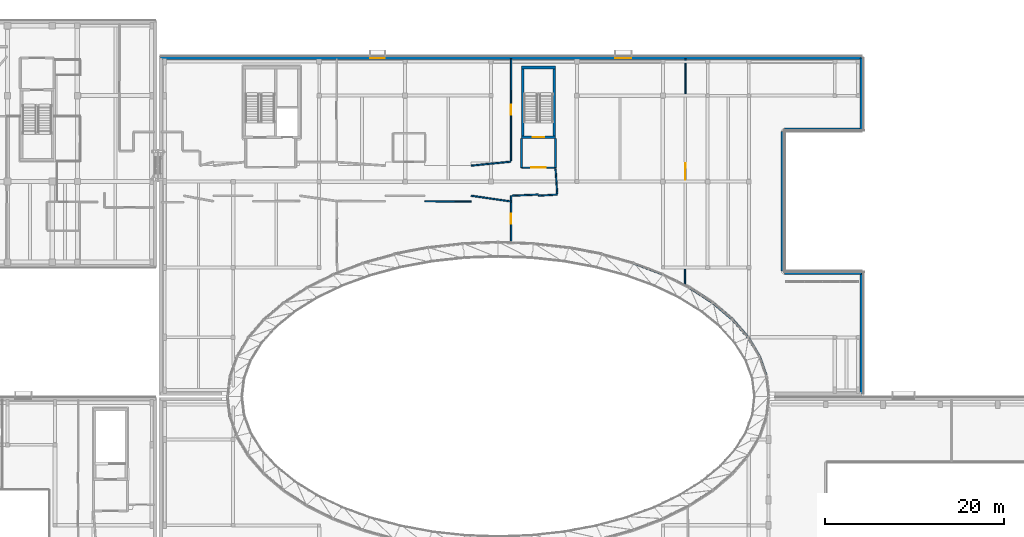
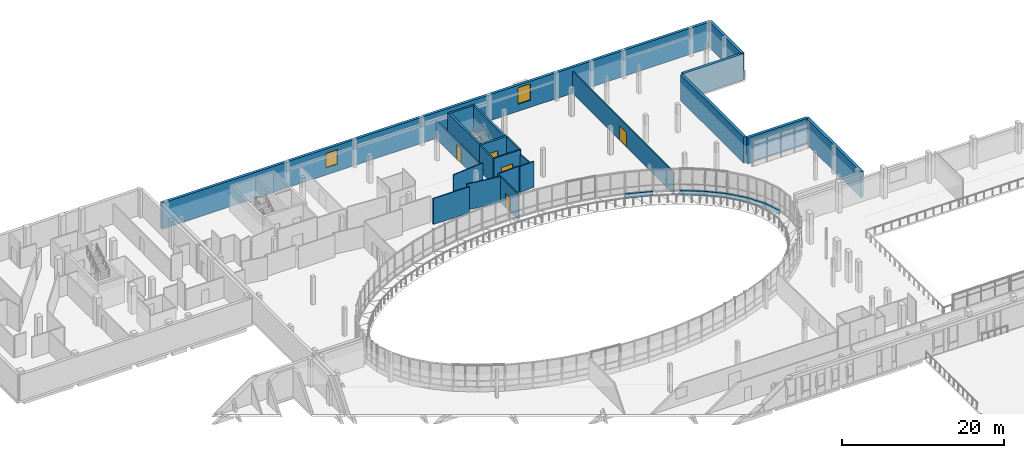
# One storey, part 47 of 73: 28 walls, 5 doors, 2 windows, 7 openings.
"""IFC4 building model written with IfcOpenShell, lengths in metres."""

from ifc_helpers import new_model, si_unit, direction, frame, frame_2d, origin, place, context, subcontext, project, spatial, rectangle, extrude, material, layer, layer_set, type_object, element, fill, save


model = new_model("IFC4")

# Units and contexts
model_context = context("Model", 3, precision=1e-05, world=origin(), true_north=direction((0.0, 1.0)))
body_context = subcontext(model_context, "Body", "Model", "MODEL_VIEW")
ifc_project = project(units=[si_unit("LENGTHUNIT", "METRE"), si_unit("AREAUNIT", "SQUARE_METRE"), si_unit("VOLUMEUNIT", "CUBIC_METRE"), si_unit("PLANEANGLEUNIT", "RADIAN"), si_unit("MASSUNIT", "GRAM", prefix="KILO")], contexts=[model_context])

# Site, building, storey
site_placement = place(None, origin())
site = spatial("IfcSite", under=ifc_project, at=site_placement, CompositionType="ELEMENT")
building_placement = place(site_placement, origin())
building = spatial("IfcBuilding", under=site, at=building_placement, Name="Mzevani Central Library", CompositionType="ELEMENT")
storey_placement = place(building_placement, frame((0.0, 0.0, 9.60009765625)))
storey = spatial("IfcBuildingStorey", under=building, at=storey_placement, Name="L02", CompositionType="ELEMENT", Elevation=9.60009765625)

# Wall
ifc_material_1 = material(Name="Concrete C35/45", Category="concrete")
ifc_layer_1 = layer(ifc_material_1, 0.199951171875, Name="Compartment Wall 200")
ifc_layer_set_1 = layer_set([ifc_layer_1], Name="Concrete C35/45")
wall_type_1 = type_object("IfcWallType", Name="Compartment Wall 200", PredefinedType="STANDARD", material=ifc_layer_set_1)
wall_1_placement = place(storey_placement, frame((86.60009765625, 104.800048828125, 0.0), z_axis=(0.0, 0.0, 1.0), x_axis=(0.0, -1.0, 0.0)))
element("IfcWall", 1, at=wall_1_placement, inside=storey, type_object=wall_type_1, Name="L02 Stair Vestibule C3B Enclosure Wall 1", PredefinedType="STANDARD", context=body_context, shape_type="SweptSolid", body=[
    extrude(rectangle(XDim=3.25, YDim=0.199951171875, at=frame_2d((1.625, 0.0))), origin(), (0.0, 0.0, 1.0), 3.919921875),
])

# Wall, opening, door
wall_2_placement = place(storey_placement, frame((86.60009765625, 101.550048828125, 0.0), z_axis=(0.0, 0.0, 1.0), x_axis=(1.0, 0.0, 0.0)))
wall_2 = element("IfcWall", 2, at=wall_2_placement, inside=storey, type_object=wall_type_1, Name="L02 Stair Vestibule C3B Enclosure Wall 2", PredefinedType="STANDARD", context=body_context, shape_type="SweptSolid", body=[
    extrude(rectangle(XDim=3.7998046875, YDim=0.199951171875, at=frame_2d((1.89990234375, 0.0))), origin(), (0.0, 0.0, 1.0), 3.919921875),
])
opening_1_placement = place(wall_2_placement, frame((1.10009765625, 0.0, 0.0)))
opening_1 = element("IfcOpeningElement", 3, at=opening_1_placement, cuts=wall_2, Name="Opening FD-02", PredefinedType="OPENING", context=body_context, shape_type="SweptSolid", body=[
    extrude(rectangle(XDim=1.60009765625, YDim=2.199951171875, at=frame_2d((0.800048828125, 1.10009765625))), frame((0.0, 0.10986328125, 0.0), z_axis=(0.0, -1.0, 0.0), x_axis=(1.0, 0.0, 0.0)), (0.0, 0.0, 1.0), 0.219970703125),
])
ifc_material_2 = material(Name="Fire-rated steel door assembly", Category="steel")
door_type_1 = type_object("IfcDoorType", Name="Fire Lobby Double Door 1600x2200", OperationType="NOTDEFINED", PredefinedType="DOOR", material=ifc_material_2)
door_1_placement = place(opening_1_placement, origin())
door_1 = element("IfcDoor", 4, at=door_1_placement, inside=storey, type_object=door_type_1, Name="L02 Stair Vestibule C3B Smoke-Control Door", OperationType="DOUBLE_DOOR_SINGLE_SWING", OverallHeight=2.199951171875, OverallWidth=1.60009765625, PredefinedType="DOOR", context=body_context, shape_type="SweptSolid", body=[
    extrude(rectangle(XDim=1.60009765625, YDim=2.199951171875, at=frame_2d((0.800048828125, 1.10009765625))), frame((0.0, 0.02490234375, 0.0), z_axis=(0.0, -1.0, 0.0), x_axis=(1.0, 0.0, 0.0)), (0.0, 0.0, 1.0), 0.050048828125),
])
fill(opening_1, door_1)

# Wall
wall_3_placement = place(storey_placement, frame((90.39990234375, 101.550048828125, 0.0), z_axis=(0.0, 0.0, 1.0), x_axis=(0.0, 1.0, 0.0)))
element("IfcWall", 5, at=wall_3_placement, inside=storey, type_object=wall_type_1, Name="L02 Stair Vestibule C3B Enclosure Wall 3", PredefinedType="STANDARD", context=body_context, shape_type="SweptSolid", body=[
    extrude(rectangle(XDim=3.25, YDim=0.199951171875, at=frame_2d((1.625, 0.0))), origin(), (0.0, 0.0, 1.0), 3.919921875),
])

# Wall, opening, door
ifc_material_3 = material(Name="Concrete C40/50", Category="concrete")
ifc_layer_2 = layer(ifc_material_3, 0.300048828125, Name="Core Shear Wall 300")
ifc_layer_set_2 = layer_set([ifc_layer_2], Name="Concrete C40/50")
wall_type_2 = type_object("IfcWallType", Name="Core Shear Wall 300", PredefinedType="SHEAR", material=ifc_layer_set_2)
wall_4_placement = place(storey_placement, frame((90.39990234375, 104.949951171875, 0.0), z_axis=(0.0, 0.0, 1.0), x_axis=(-1.0, 0.0, 0.0)))
wall_4 = element("IfcWall", 6, at=wall_4_placement, inside=storey, type_object=wall_type_2, Name="L02 Core C3B Atrium East Escape Stair Shear Wall (-y)", PredefinedType="SHEAR", context=body_context, shape_type="SweptSolid", body=[
    extrude(rectangle(XDim=3.7998046875, YDim=0.300048828125, at=frame_2d((1.89990234375, 0.0))), origin(), (0.0, 0.0, 1.0), 3.919921875),
])
opening_2_placement = place(wall_4_placement, frame((1.25, 0.0, 0.0)))
opening_2 = element("IfcOpeningElement", 7, at=opening_2_placement, cuts=wall_4, Name="Opening FD-01", PredefinedType="OPENING", context=body_context, shape_type="SweptSolid", body=[
    extrude(rectangle(XDim=1.300048828125, YDim=2.199951171875, at=frame_2d((0.64990234375, 1.10009765625))), frame((0.0, 0.16015625, 0.0), z_axis=(0.0, -1.0, 0.0), x_axis=(1.0, 0.0, 0.0)), (0.0, 0.0, 1.0), 0.320068359375),
])
door_type_2 = type_object("IfcDoorType", Name="Fire Stair Door 1300x2200", OperationType="NOTDEFINED", PredefinedType="DOOR", material=ifc_material_2)
door_2_placement = place(opening_2_placement, origin())
door_2 = element("IfcDoor", 8, at=door_2_placement, inside=storey, type_object=door_type_2, Name="L02 ST-06 Protected Exit Stair Door", OperationType="SINGLE_SWING_LEFT", OverallHeight=2.199951171875, OverallWidth=1.300048828125, PredefinedType="DOOR", context=body_context, shape_type="SweptSolid", body=[
    extrude(rectangle(XDim=1.300048828125, YDim=2.199951171875, at=frame_2d((0.64990234375, 1.10009765625))), frame((0.0, 0.02490234375, 0.0), z_axis=(0.0, -1.0, 0.0), x_axis=(1.0, 0.0, 0.0)), (0.0, 0.0, 1.0), 0.050048828125),
])
fill(opening_2, door_2)

# Walls
wall_5_placement = place(storey_placement, frame((86.75, 104.800048828125, 0.0), z_axis=(0.0, 0.0, 1.0), x_axis=(0.0, 1.0, 0.0)))
element("IfcWall", 9, at=wall_5_placement, inside=storey, type_object=wall_type_2, Name="L02 Core C3B Atrium East Escape Stair Shear Wall (-x)", PredefinedType="SHEAR", context=body_context, shape_type="SweptSolid", body=[
    extrude(rectangle(XDim=8.099853515625, YDim=0.300048828125, at=frame_2d((4.0498046875, 0.0))), origin(), (0.0, 0.0, 1.0), 3.919921875),
])
wall_6_placement = place(storey_placement, frame((86.60009765625, 112.75, 0.0), z_axis=(0.0, 0.0, 1.0), x_axis=(1.0, 0.0, 0.0)))
element("IfcWall", 10, at=wall_6_placement, inside=storey, type_object=wall_type_2, Name="L02 Core C3B Atrium East Escape Stair Shear Wall (+y)", PredefinedType="SHEAR", context=body_context, shape_type="SweptSolid", body=[
    extrude(rectangle(XDim=3.7998046875, YDim=0.300048828125, at=frame_2d((1.89990234375, 0.0))), origin(), (0.0, 0.0, 1.0), 3.919921875),
])
wall_7_placement = place(storey_placement, frame((90.25, 112.89990234375, 0.0), z_axis=(0.0, 0.0, 1.0), x_axis=(0.0, -1.0, 0.0)))
element("IfcWall", 11, at=wall_7_placement, inside=storey, type_object=wall_type_2, Name="L02 Core C3B Atrium East Escape Stair Shear Wall (+x)", PredefinedType="SHEAR", context=body_context, shape_type="SweptSolid", body=[
    extrude(rectangle(XDim=8.099853515625, YDim=0.300048828125, at=frame_2d((4.0498046875, 0.0))), origin(), (0.0, 0.0, 1.0), 3.919921875),
])
ifc_material_4 = material(Name="Precast concrete C40/50", Category="concrete")
ifc_layer_3 = layer(ifc_material_4, 0.280029296875, Name="Court Spandrel Wall 280")
ifc_layer_set_3 = layer_set([ifc_layer_3], Name="Precast concrete C40/50")
wall_type_3 = type_object("IfcWallType", Name="Court Spandrel Wall 280", PredefinedType="STANDARD", material=ifc_layer_set_3)
wall_8_placement = place(storey_placement, frame((113.9619140625, 78.2451171875, 0.0), z_axis=(0.0, 0.0, 1.0), x_axis=(-0.331008570157, 0.943627747834, 0.0)))
element("IfcWall", 12, at=wall_8_placement, inside=storey, type_object=wall_type_3, Name="L02 Elliptical Court Spandrel 2", PredefinedType="STANDARD", context=body_context, shape_type="SweptSolid", body=[
    extrude(rectangle(XDim=2.31298828125, YDim=0.280029296875, at=frame_2d((1.156494140625, 0.0))), origin(), (0.0, 0.0, 1.0), 0.719970703125),
])
wall_9_placement = place(storey_placement, frame((113.19384765625, 80.444580078125, 0.0), z_axis=(0.0, 0.0, 1.0), x_axis=(-0.513603793852, 0.858027472137, 0.0)))
element("IfcWall", 13, at=wall_9_placement, inside=storey, type_object=wall_type_3, Name="L02 Elliptical Court Spandrel 3", PredefinedType="STANDARD", context=body_context, shape_type="SweptSolid", body=[
    extrude(rectangle(XDim=2.4560546875, YDim=0.280029296875, at=frame_2d((1.22802734375, 0.0))), origin(), (0.0, 0.0, 1.0), 0.719970703125),
])
wall_10_placement = place(storey_placement, frame((111.92822265625, 82.569580078125, 0.0), z_axis=(0.0, 0.0, 1.0), x_axis=(-0.656194711624, 0.754591611693, 0.0)))
element("IfcWall", 14, at=wall_10_placement, inside=storey, type_object=wall_type_3, Name="L02 Elliptical Court Spandrel 4", PredefinedType="STANDARD", context=body_context, shape_type="SweptSolid", body=[
    extrude(rectangle(XDim=2.64501953125, YDim=0.280029296875, at=frame_2d((1.322509765625, 0.0))), origin(), (0.0, 0.0, 1.0), 0.719970703125),
])
wall_11_placement = place(storey_placement, frame((110.1865234375, 84.583984375, 0.0), z_axis=(0.0, 0.0, 1.0), x_axis=(-0.762423614177, 0.647078227531, 0.0)))
element("IfcWall", 15, at=wall_11_placement, inside=storey, type_object=wall_type_3, Name="L02 Elliptical Court Spandrel 5", PredefinedType="STANDARD", context=body_context, shape_type="SweptSolid", body=[
    extrude(rectangle(XDim=2.859619140625, YDim=0.280029296875, at=frame_2d((1.4296875, 0.0))), origin(), (0.0, 0.0, 1.0), 0.719970703125),
])
wall_12_placement = place(storey_placement, frame((107.99755859375, 86.454345703125, 0.0), z_axis=(0.0, 0.0, 1.0), x_axis=(-0.839733807204, 0.54299828088, 0.0)))
element("IfcWall", 16, at=wall_12_placement, inside=storey, type_object=wall_type_3, Name="L02 Elliptical Court Spandrel 6", PredefinedType="STANDARD", context=body_context, shape_type="SweptSolid", body=[
    extrude(rectangle(XDim=3.081298828125, YDim=0.280029296875, at=frame_2d((1.54052734375, 0.0))), origin(), (0.0, 0.0, 1.0), 0.719970703125),
])
wall_13_placement = place(storey_placement, frame((102.4306640625, 89.63916015625, 0.0), z_axis=(0.0, 0.0, 1.0), x_axis=(-0.935124674426, 0.354318844092, 0.0)))
element("IfcWall", 17, at=wall_13_placement, inside=storey, type_object=wall_type_3, Name="L02 Elliptical Court Spandrel 8", PredefinedType="STANDARD", context=body_context, shape_type="SweptSolid", body=[
    extrude(rectangle(XDim=3.4892578125, YDim=0.280029296875, at=frame_2d((1.74462890625, 0.0))), origin(), (0.0, 0.0, 1.0), 0.719970703125),
])

# Wall, openings, windows
ifc_layer_4 = layer(ifc_material_4, 0.3798828125, Name="Exterior Thermal Concrete Wall 380")
ifc_layer_set_4 = layer_set([ifc_layer_4], Name="Precast concrete C40/50")
wall_type_4 = type_object("IfcWallType", Name="Exterior Thermal Concrete Wall 380", PredefinedType="STANDARD", material=ifc_layer_set_4)
wall_14_placement = place(storey_placement, frame((46.2900390625, 113.81005859375, 0.0), z_axis=(0.0, 0.0, 1.0), x_axis=(1.0, 0.0, 0.0)))
wall_14 = element("IfcWall", 18, at=wall_14_placement, inside=storey, type_object=wall_type_4, Name="L02 V3 Exterior Thermal Wall (54)", PredefinedType="STANDARD", context=body_context, shape_type="SweptSolid", body=[
    extrude(rectangle(XDim=78.320068359375, YDim=0.3798828125, at=frame_2d((39.16015625, 0.0))), origin(), (0.0, 0.0, 1.0), 3.919921875),
])
opening_3_placement = place(wall_14_placement, frame((23.40380859375, 0.0, 1.050048828125)))
opening_3 = element("IfcOpeningElement", 19, at=opening_3_placement, cuts=wall_14, Name="Opening W-13", PredefinedType="OPENING", context=body_context, shape_type="SweptSolid", body=[
    extrude(rectangle(XDim=1.64990234375, YDim=2.199951171875, at=frame_2d((0.824951171875, 1.10009765625))), frame((0.0, 0.199951171875, 0.0), z_axis=(0.0, -1.0, 0.0), x_axis=(1.0, 0.0, 0.0)), (0.0, 0.0, 1.0), 0.39990234375),
])
opening_4_placement = place(wall_14_placement, frame((50.791259765625, 0.0, 1.050048828125)))
opening_4 = element("IfcOpeningElement", 20, at=opening_4_placement, cuts=wall_14, Name="Opening W-15", PredefinedType="OPENING", context=body_context, shape_type="SweptSolid", body=[
    extrude(rectangle(XDim=1.800048828125, YDim=2.5, at=frame_2d((0.89990234375, 1.25))), frame((0.0, 0.199951171875, 0.0), z_axis=(0.0, -1.0, 0.0), x_axis=(1.0, 0.0, 0.0)), (0.0, 0.0, 1.0), 0.39990234375),
])
ifc_material_5 = material(Name="Low-E triple glazing glass", Category="glass")
window_type_1 = type_object("IfcWindowType", Name="Deep Reveal Window 1650x2200", PartitioningType="SINGLE_PANEL", PredefinedType="WINDOW", material=ifc_material_5)
window_1_placement = place(opening_3_placement, origin())
window_1 = element("IfcWindow", 21, at=window_1_placement, inside=storey, type_object=window_type_1, Name="L02 V3 Deep-Reveal Window W-13 (126)", OverallHeight=2.199951171875, OverallWidth=1.64990234375, PartitioningType="SINGLE_PANEL", PredefinedType="WINDOW", context=body_context, shape_type="SweptSolid", body=[
    extrude(rectangle(XDim=1.64990234375, YDim=2.199951171875, at=frame_2d((0.824951171875, 1.10009765625))), frame((0.0, 0.030029296875, 0.0), z_axis=(0.0, -1.0, 0.0), x_axis=(1.0, 0.0, 0.0)), (0.0, 0.0, 1.0), 0.06005859375),
])
fill(opening_3, window_1)
window_type_2 = type_object("IfcWindowType", Name="Deep Reveal Window 1800x2500", PartitioningType="SINGLE_PANEL", PredefinedType="WINDOW", material=ifc_material_5)
window_2_placement = place(opening_4_placement, origin())
window_2 = element("IfcWindow", 22, at=window_2_placement, inside=storey, type_object=window_type_2, Name="L02 V3 Deep-Reveal Window W-15 (127)", OverallHeight=2.5, OverallWidth=1.800048828125, PartitioningType="SINGLE_PANEL", PredefinedType="WINDOW", context=body_context, shape_type="SweptSolid", body=[
    extrude(rectangle(XDim=1.800048828125, YDim=2.5, at=frame_2d((0.89990234375, 1.25))), frame((0.0, 0.030029296875, 0.0), z_axis=(0.0, -1.0, 0.0), x_axis=(1.0, 0.0, 0.0)), (0.0, 0.0, 1.0), 0.06005859375),
])
fill(opening_4, window_2)

# Walls
wall_15_placement = place(storey_placement, frame((124.610107421875, 113.81005859375, 0.0), z_axis=(0.0, 0.0, 1.0), x_axis=(0.0, -1.0, 0.0)))
element("IfcWall", 23, at=wall_15_placement, inside=storey, type_object=wall_type_4, Name="L02 V3 Exterior Thermal Wall (55)", PredefinedType="STANDARD", context=body_context, shape_type="SweptSolid", body=[
    extrude(rectangle(XDim=8.02001953125, YDim=0.3798828125, at=frame_2d((4.010009765625, 0.0))), origin(), (0.0, 0.0, 1.0), 3.919921875),
])
wall_16_placement = place(storey_placement, frame((124.610107421875, 105.7900390625, 0.0), z_axis=(0.0, 0.0, 1.0), x_axis=(-1.0, 0.0, 0.0)))
element("IfcWall", 24, at=wall_16_placement, inside=storey, type_object=wall_type_4, Name="L02 V3 Exterior Thermal Wall (56)", PredefinedType="STANDARD", context=body_context, shape_type="SweptSolid", body=[
    extrude(rectangle(XDim=8.610107421875, YDim=0.3798828125, at=frame_2d((4.30517578125, 0.0))), origin(), (0.0, 0.0, 1.0), 3.919921875),
])
wall_17_placement = place(storey_placement, frame((115.81005859375, 105.60009765625, 0.0), z_axis=(0.0, 0.0, 1.0), x_axis=(0.0, -1.0, 0.0)))
element("IfcWall", 25, at=wall_17_placement, inside=storey, type_object=wall_type_4, Name="L02 V3 Exterior Thermal Wall (57)", PredefinedType="STANDARD", context=body_context, shape_type="SweptSolid", body=[
    extrude(rectangle(XDim=15.60009765625, YDim=0.3798828125, at=frame_2d((7.800048828125, 0.0))), origin(), (0.0, 0.0, 1.0), 3.919921875),
])
wall_18_placement = place(storey_placement, frame((116.0, 89.81005859375, 0.0), z_axis=(0.0, 0.0, 1.0), x_axis=(1.0, 0.0, 0.0)))
element("IfcWall", 26, at=wall_18_placement, inside=storey, type_object=wall_type_4, Name="L02 V3 Exterior Thermal Wall (58)", PredefinedType="STANDARD", context=body_context, shape_type="SweptSolid", body=[
    extrude(rectangle(XDim=8.610107421875, YDim=0.3798828125, at=frame_2d((4.30517578125, 0.0))), origin(), (0.0, 0.0, 1.0), 3.919921875),
])
wall_19_placement = place(storey_placement, frame((124.610107421875, 89.81005859375, 0.0), z_axis=(0.0, 0.0, 1.0), x_axis=(0.0, -1.0, 0.0)))
element("IfcWall", 27, at=wall_19_placement, inside=storey, type_object=wall_type_4, Name="L02 V3 Exterior Thermal Wall (59)", PredefinedType="STANDARD", context=body_context, shape_type="SweptSolid", body=[
    extrude(rectangle(XDim=13.52001953125, YDim=0.3798828125, at=frame_2d((6.760009765625, 0.0))), origin(), (0.0, 0.0, 1.0), 3.919921875),
])
ifc_material_6 = material(Name="Fire-rated gypsum board", Category="gypsum")
ifc_layer_5 = layer(ifc_material_6, 0.14990234375, Name="Partition Study 150")
ifc_layer_set_5 = layer_set([ifc_layer_5], Name="Fire-rated gypsum board")
wall_type_5 = type_object("IfcWallType", Name="Partition Study 150", PredefinedType="PARTITIONING", material=ifc_layer_set_5)
wall_20_placement = place(storey_placement, frame((85.425048828125, 102.22509765625, 0.0), z_axis=(0.0, 0.0, 1.0), x_axis=(-0.995035568554, -0.099519934244, 0.0)))
element("IfcWall", 28, at=wall_20_placement, inside=storey, type_object=wall_type_5, Name="L02 V3 Partition IW-03 (446)", PredefinedType="PARTITIONING", context=body_context, shape_type="SweptSolid", body=[
    extrude(rectangle(XDim=4.47216796875, YDim=0.14990234375, at=frame_2d((2.236083984375, 0.0))), origin(), (0.0, 0.0, 1.0), 3.25),
])

# Wall, opening, door
wall_21_placement = place(storey_placement, frame((85.44970703125, 113.7099609375, 0.0), z_axis=(0.0, 0.0, 1.0), x_axis=(-0.002144399247, -0.999997700773, 0.0)))
wall_21 = element("IfcWall", 29, at=wall_21_placement, inside=storey, type_object=wall_type_5, Name="L02 V3 Partition IW-03 (448)", PredefinedType="PARTITIONING", context=body_context, shape_type="SweptSolid", body=[
    extrude(rectangle(XDim=11.385009765625, YDim=0.14990234375, at=frame_2d((5.6923828125, 0.0))), origin(), (0.0, 0.0, 1.0), 2.71484375),
])
opening_5_placement = place(wall_21_placement, frame((5.142578125, 0.0, 0.0)))
opening_5 = element("IfcOpeningElement", 30, at=opening_5_placement, cuts=wall_21, Name="Opening ID-08", PredefinedType="OPENING", context=body_context, shape_type="SweptSolid", body=[
    extrude(rectangle(XDim=1.10009765625, YDim=2.199951171875, at=frame_2d((0.550048828125, 1.10009765625))), frame((0.0, 0.0849609375, 0.0), z_axis=(0.0, -1.0, 0.0), x_axis=(1.0, 0.0, 0.0)), (0.0, 0.0, 1.0), 0.169921875),
])
ifc_material_7 = material(Name="Fire-rated solid oak leaf")
door_type_3 = type_object("IfcDoorType", Name="Seminar Room Door 1100x2200", OperationType="NOTDEFINED", PredefinedType="DOOR", material=ifc_material_7)
door_3_placement = place(opening_5_placement, origin())
door_3 = element("IfcDoor", 31, at=door_3_placement, inside=storey, type_object=door_type_3, Name="L02 Graduate Research Seminar Room Door", OperationType="SINGLE_SWING_LEFT", OverallHeight=2.199951171875, OverallWidth=1.10009765625, PredefinedType="DOOR", context=body_context, shape_type="SweptSolid", body=[
    extrude(rectangle(XDim=1.10009765625, YDim=2.199951171875, at=frame_2d((0.550048828125, 1.10009765625))), frame((0.0, 0.02490234375, 0.0), z_axis=(0.0, -1.0, 0.0), x_axis=(1.0, 0.0, 0.0)), (0.0, 0.0, 1.0), 0.050048828125),
])
fill(opening_5, door_3)

# Walls
wall_22_placement = place(storey_placement, frame((75.800048828125, 97.800048828125, 0.0), z_axis=(0.0, 0.0, 1.0), x_axis=(0.999988194403, -0.00485912082, 0.0)))
element("IfcWall", 32, at=wall_22_placement, inside=storey, type_object=wall_type_5, Name="L02 V3 Partition IW-03 (451)", PredefinedType="PARTITIONING", context=body_context, shape_type="SweptSolid", body=[
    extrude(rectangle(XDim=5.175048828125, YDim=0.14990234375, at=frame_2d((2.58740234375, 0.0))), origin(), (0.0, 0.0, 1.0), 3.919921875),
])
wall_23_placement = place(storey_placement, frame((80.97509765625, 98.419921875, 0.0), z_axis=(0.0, 0.0, 1.0), x_axis=(0.989767208728, -0.142691529273, 0.0)))
element("IfcWall", 33, at=wall_23_placement, inside=storey, type_object=wall_type_5, Name="L02 V3 Partition IW-03 (452)", PredefinedType="PARTITIONING", context=body_context, shape_type="SweptSolid", body=[
    extrude(rectangle(XDim=4.520263671875, YDim=0.14990234375, at=frame_2d((2.26025390625, 0.0))), origin(), (0.0, 0.0, 1.0), 3.919921875),
])

# Wall, opening, door
wall_24_placement = place(storey_placement, frame((85.449951171875, 98.419921875, 0.0), z_axis=(0.0, 0.0, 1.0), x_axis=(-0.001139708634, -0.999999350532, 0.0)))
wall_24 = element("IfcWall", 34, at=wall_24_placement, inside=storey, type_object=wall_type_5, Name="L02 V3 Partition IW-03 (453)", PredefinedType="PARTITIONING", context=body_context, shape_type="SweptSolid", body=[
    extrude(rectangle(XDim=5.14111328125, YDim=0.14990234375, at=frame_2d((2.570556640625, 0.0))), origin(), (0.0, 0.0, 1.0), 3.919921875),
])
opening_6_placement = place(wall_24_placement, frame((2.0205078125, 0.0, 0.0)))
opening_6 = element("IfcOpeningElement", 35, at=opening_6_placement, cuts=wall_24, Name="Opening FD-04", PredefinedType="OPENING", context=body_context, shape_type="SweptSolid", body=[
    extrude(rectangle(XDim=1.10009765625, YDim=2.14990234375, at=frame_2d((0.550048828125, 1.074951171875))), frame((0.0, 0.0849609375, 0.0), z_axis=(0.0, -1.0, 0.0), x_axis=(1.0, 0.0, 0.0)), (0.0, 0.0, 1.0), 0.169921875),
])
door_type_4 = type_object("IfcDoorType", Name="Fire Compartment Door 1100x2150", OperationType="NOTDEFINED", PredefinedType="DOOR", material=ifc_material_2)
door_4_placement = place(opening_6_placement, origin())
door_4 = element("IfcDoor", 36, at=door_4_placement, inside=storey, type_object=door_type_4, Name="L02 Sciences and Engineering Open Stacks 2 Door", OperationType="SINGLE_SWING_LEFT", OverallHeight=2.14990234375, OverallWidth=1.10009765625, PredefinedType="DOOR", context=body_context, shape_type="SweptSolid", body=[
    extrude(rectangle(XDim=1.10009765625, YDim=2.14990234375, at=frame_2d((0.550048828125, 1.074951171875))), frame((0.0, 0.02490234375, 0.0), z_axis=(0.0, -1.0, 0.0), x_axis=(1.0, 0.0, 0.0)), (0.0, 0.0, 1.0), 0.050048828125),
])
fill(opening_6, door_4)

# Walls
wall_25_placement = place(storey_placement, frame((85.5498046875, 98.42431640625, 0.0), z_axis=(0.0, 0.0, 1.0), x_axis=(0.999093073886, 0.042579686615, 0.0)))
element("IfcWall", 37, at=wall_25_placement, inside=storey, type_object=wall_type_5, Name="L02 V3 Partition IW-03 (454)", PredefinedType="PARTITIONING", context=body_context, shape_type="SweptSolid", body=[
    extrude(rectangle(XDim=2.952880859375, YDim=0.14990234375, at=frame_2d((1.4765625, 0.0))), origin(), (0.0, 0.0, 1.0), 3.919921875),
])
wall_26_placement = place(storey_placement, frame((88.5, 98.419921875, 0.0), z_axis=(0.0, 0.0, 1.0), x_axis=(0.998085844608, 0.061843728804, 0.0)))
element("IfcWall", 38, at=wall_26_placement, inside=storey, type_object=wall_type_5, Name="L02 V3 Partition IW-03 (455)", PredefinedType="PARTITIONING", context=body_context, shape_type="SweptSolid", body=[
    extrude(rectangle(XDim=2.10400390625, YDim=0.14990234375, at=frame_2d((1.052001953125, 0.0))), origin(), (0.0, 0.0, 1.0), 3.919921875),
])
wall_27_placement = place(storey_placement, frame((90.59326171875, 98.64990234375, 0.0), z_axis=(0.0, 0.0, 1.0), x_axis=(-0.066461272894, 0.997789005354, 0.0)))
element("IfcWall", 39, at=wall_27_placement, inside=storey, type_object=wall_type_5, Name="L02 V3 Partition IW-03 (456)", PredefinedType="PARTITIONING", context=body_context, shape_type="SweptSolid", body=[
    extrude(rectangle(XDim=2.806396484375, YDim=0.14990234375, at=frame_2d((1.4033203125, 0.0))), origin(), (0.0, 0.0, 1.0), 3.25),
])

# Wall, opening, door
wall_28_placement = place(storey_placement, frame((104.934814453125, 113.7099609375, 0.0), z_axis=(0.0, 0.0, 1.0), x_axis=(-0.002813910982, -0.999996040945, 0.0)))
wall_28 = element("IfcWall", 40, at=wall_28_placement, inside=storey, type_object=wall_type_5, Name="L02 V3 Partition IW-03 (457)", PredefinedType="PARTITIONING", context=body_context, shape_type="SweptSolid", body=[
    extrude(rectangle(XDim=25.160888671875, YDim=0.14990234375, at=frame_2d((12.58056640625, 0.0))), origin(), (0.0, 0.0, 1.0), 3.2998046875),
])
opening_7_placement = place(wall_28_placement, frame((11.680419921875, 0.0, 0.0)))
opening_7 = element("IfcOpeningElement", 41, at=opening_7_placement, cuts=wall_28, Name="Opening FD-06", PredefinedType="OPENING", context=body_context, shape_type="SweptSolid", body=[
    extrude(rectangle(XDim=1.800048828125, YDim=2.199951171875, at=frame_2d((0.89990234375, 1.10009765625))), frame((0.0, 0.0849609375, 0.0), z_axis=(0.0, -1.0, 0.0), x_axis=(1.0, 0.0, 0.0)), (0.0, 0.0, 1.0), 0.169921875),
])
door_type_5 = type_object("IfcDoorType", Name="Fire Corridor Double Door 1800x2200", OperationType="NOTDEFINED", PredefinedType="DOOR", material=ifc_material_2)
door_5_placement = place(opening_7_placement, origin())
door_5 = element("IfcDoor", 42, at=door_5_placement, inside=storey, type_object=door_type_5, Name="L02 Stepped Atrium Study Terrace 3 Door", OperationType="DOUBLE_DOOR_SINGLE_SWING", OverallHeight=2.199951171875, OverallWidth=1.800048828125, PredefinedType="DOOR", context=body_context, shape_type="SweptSolid", body=[
    extrude(rectangle(XDim=1.800048828125, YDim=2.199951171875, at=frame_2d((0.89990234375, 1.10009765625))), frame((0.0, 0.02490234375, 0.0), z_axis=(0.0, -1.0, 0.0), x_axis=(1.0, 0.0, 0.0)), (0.0, 0.0, 1.0), 0.050048828125),
])
fill(opening_7, door_5)

save(model, "model.ifc")
